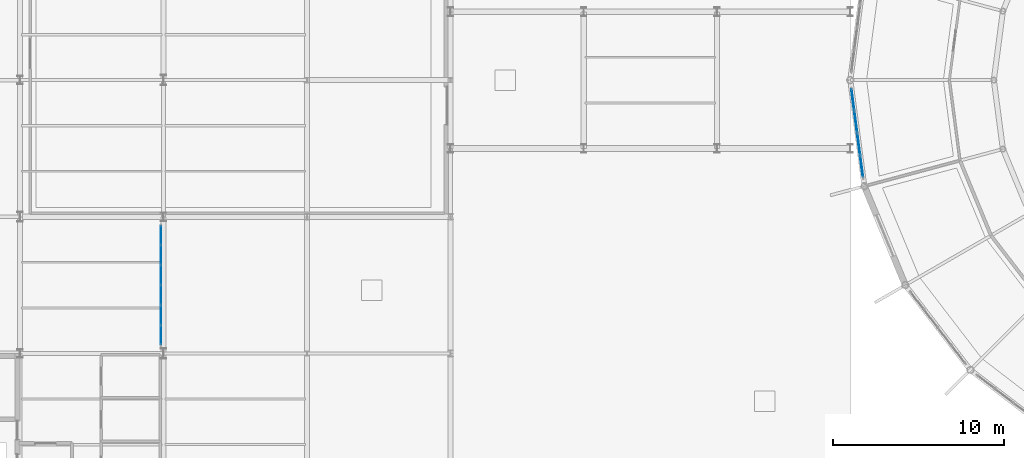
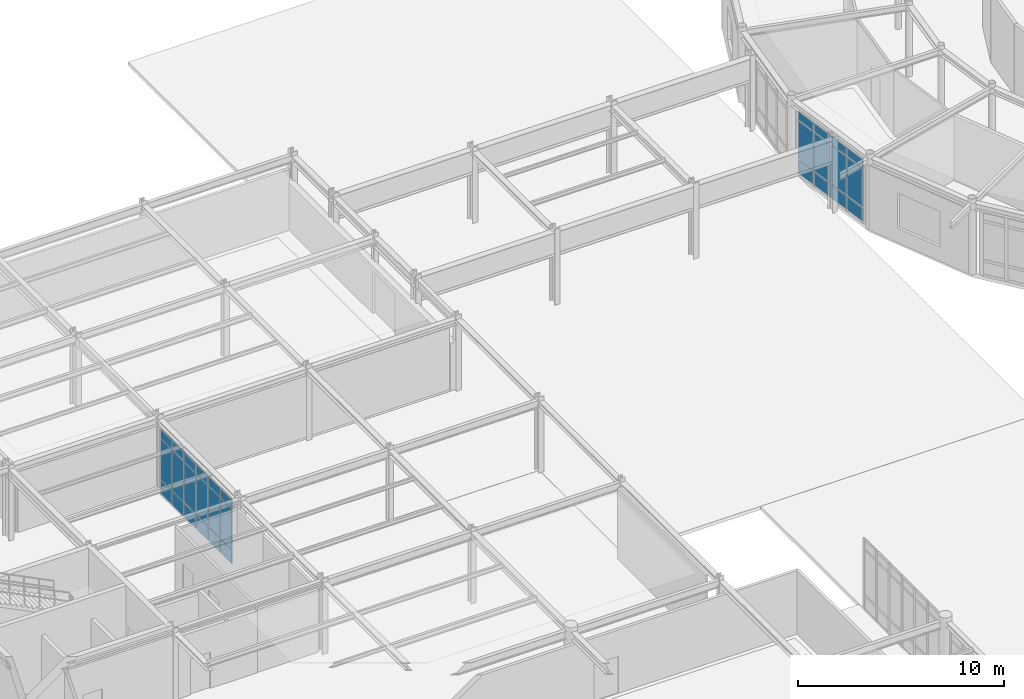
# One storey, part 61 of 101: 30 plates, 2 elements without a shape of their own.
"""IFC4 building model written with IfcOpenShell, lengths in metres."""

from ifc_helpers import new_model, si_unit, derived_unit, direction, frame, origin, origin_2d, place, context, subcontext, project, spatial, rectangle, extrude, material, layer, layer_set, type_object, element, aggregate, save


model = new_model("IFC4")

# Units and contexts
model_context = context("Model", 3, precision=1e-05, world=origin(), true_north=direction((0.0, 1.0)))
body_context = subcontext(model_context, "Body", "Model", "MODEL_VIEW")
ifc_project = project(units=[si_unit("LENGTHUNIT", "METRE"), si_unit("AREAUNIT", "SQUARE_METRE"), si_unit("VOLUMEUNIT", "CUBIC_METRE"), si_unit("PLANEANGLEUNIT", "RADIAN"), si_unit("MASSUNIT", "GRAM", prefix="KILO"), derived_unit("THERMALTRANSMITTANCEUNIT", [(si_unit("POWERUNIT", "WATT"), 1), (si_unit("AREAUNIT", "SQUARE_METRE"), -1), (si_unit("THERMODYNAMICTEMPERATUREUNIT", "KELVIN"), -1)])], contexts=[model_context])

# Site, building, storey
site_placement = place(None, origin())
site = spatial("IfcSite", under=ifc_project, at=site_placement, CompositionType="ELEMENT")
building_placement = place(site_placement, origin())
building = spatial("IfcBuilding", under=site, at=building_placement, Name="Yasenodar Specialist Clinic", CompositionType="ELEMENT")
storey_placement = place(building_placement, origin())
storey = spatial("IfcBuildingStorey", under=building, at=storey_placement, Name="L00", CompositionType="ELEMENT", Elevation=0.0)

# Curtain wall, plates
ifc_material_1 = material(Name="Bronze Anodized Aluminium and Triple Low-E Glass", Category="aluminium")
ifc_layer_1 = layer(ifc_material_1, 0.202880859375)
ifc_layer_set_1 = layer_set([ifc_layer_1], Name="Bronze Anodized Aluminium and Triple Low-E Glass")
curtain_wall_type_1 = type_object("IfcCurtainWallType", Name="CW-SYS-04", PredefinedType="USERDEFINED", material=ifc_layer_set_1)
curtain_wall_1_placement = place(storey_placement, origin())
curtain_wall_1 = element("IfcCurtainWall", 1, at=curtain_wall_1_placement, inside=storey, type_object=curtain_wall_type_1, Name="L00 Unitised Curtain Wall 118", ObjectType="UNITISED CURTAIN WALL", PredefinedType="USERDEFINED")
ifc_material_2 = material(Name="Triple Low-E Argon Glazing", Category="glass")
ifc_layer_2 = layer(ifc_material_2, 0.0400390625)
ifc_layer_set_2 = layer_set([ifc_layer_2], Name="Triple Low-E Argon Glazing")
plate_type_1 = type_object("IfcPlateType", Name="CW-PAN-3", PredefinedType="CURTAIN_PANEL", material=ifc_layer_set_2)
plate_1_placement = place(storey_placement, frame((16.64990234375, 49.71826171875, 0.06005859375), z_axis=(0.0, 0.0, 1.0), x_axis=(0.0, -1.0, 0.0)))
plate_1 = element("IfcPlate", 2, at=plate_1_placement, type_object=plate_type_1, Name="CW-04 panel 1.1", PredefinedType="CURTAIN_PANEL", context=body_context, shape_type="SweptSolid", body=[
    extrude(rectangle(XDim=1.083251953125, YDim=0.0400390625, at=origin_2d()), origin(), (0.0, 0.0, 1.0), 0.81005859375),
])
plate_2_placement = place(storey_placement, frame((16.64990234375, 49.71826171875, 0.929931640625), z_axis=(0.0, 0.0, 1.0), x_axis=(0.0, -1.0, 0.0)))
plate_2 = element("IfcPlate", 3, at=plate_2_placement, type_object=plate_type_1, Name="CW-04 panel 1.2", PredefinedType="CURTAIN_PANEL", context=body_context, shape_type="SweptSolid", body=[
    extrude(rectangle(XDim=1.083251953125, YDim=0.0400390625, at=origin_2d()), origin(), (0.0, 0.0, 1.0), 2.3779296875),
])
plate_3_placement = place(storey_placement, frame((16.64990234375, 49.71826171875, 3.3681640625), z_axis=(0.0, 0.0, 1.0), x_axis=(0.0, -1.0, 0.0)))
plate_3 = element("IfcPlate", 4, at=plate_3_placement, type_object=plate_type_1, Name="CW-04 panel 1.3", PredefinedType="CURTAIN_PANEL", context=body_context, shape_type="SweptSolid", body=[
    extrude(rectangle(XDim=1.083251953125, YDim=0.0400390625, at=origin_2d()), origin(), (0.0, 0.0, 1.0), 0.510009765625),
])
plate_4_placement = place(storey_placement, frame((16.64990234375, 48.56005859375, 0.06005859375), z_axis=(0.0, 0.0, 1.0), x_axis=(0.0, -1.0, 0.0)))
plate_4 = element("IfcPlate", 5, at=plate_4_placement, type_object=plate_type_1, Name="CW-04 panel 2.1", PredefinedType="CURTAIN_PANEL", context=body_context, shape_type="SweptSolid", body=[
    extrude(rectangle(XDim=1.11328125, YDim=0.0400390625, at=origin_2d()), origin(), (0.0, 0.0, 1.0), 0.81005859375),
])
plate_5_placement = place(storey_placement, frame((16.64990234375, 48.56005859375, 0.929931640625), z_axis=(0.0, 0.0, 1.0), x_axis=(0.0, -1.0, 0.0)))
plate_5 = element("IfcPlate", 6, at=plate_5_placement, type_object=plate_type_1, Name="CW-04 panel 2.2", PredefinedType="CURTAIN_PANEL", context=body_context, shape_type="SweptSolid", body=[
    extrude(rectangle(XDim=1.11328125, YDim=0.0400390625, at=origin_2d()), origin(), (0.0, 0.0, 1.0), 2.3779296875),
])
plate_6_placement = place(storey_placement, frame((16.64990234375, 48.56005859375, 3.3681640625), z_axis=(0.0, 0.0, 1.0), x_axis=(0.0, -1.0, 0.0)))
plate_6 = element("IfcPlate", 7, at=plate_6_placement, type_object=plate_type_1, Name="CW-04 panel 2.3", PredefinedType="CURTAIN_PANEL", context=body_context, shape_type="SweptSolid", body=[
    extrude(rectangle(XDim=1.11328125, YDim=0.0400390625, at=origin_2d()), origin(), (0.0, 0.0, 1.0), 0.510009765625),
])
plate_7_placement = place(storey_placement, frame((16.64990234375, 47.38671875, 0.06005859375), z_axis=(0.0, 0.0, 1.0), x_axis=(0.0, -1.0, 0.0)))
plate_7 = element("IfcPlate", 8, at=plate_7_placement, type_object=plate_type_1, Name="CW-04 panel 3.1", PredefinedType="CURTAIN_PANEL", context=body_context, shape_type="SweptSolid", body=[
    extrude(rectangle(XDim=1.11328125, YDim=0.0400390625, at=origin_2d()), origin(), (0.0, 0.0, 1.0), 0.81005859375),
])
plate_8_placement = place(storey_placement, frame((16.64990234375, 47.38671875, 0.929931640625), z_axis=(0.0, 0.0, 1.0), x_axis=(0.0, -1.0, 0.0)))
plate_8 = element("IfcPlate", 9, at=plate_8_placement, type_object=plate_type_1, Name="CW-04 panel 3.2", PredefinedType="CURTAIN_PANEL", context=body_context, shape_type="SweptSolid", body=[
    extrude(rectangle(XDim=1.11328125, YDim=0.0400390625, at=origin_2d()), origin(), (0.0, 0.0, 1.0), 2.3779296875),
])
plate_9_placement = place(storey_placement, frame((16.64990234375, 47.38671875, 3.3681640625), z_axis=(0.0, 0.0, 1.0), x_axis=(0.0, -1.0, 0.0)))
plate_9 = element("IfcPlate", 10, at=plate_9_placement, type_object=plate_type_1, Name="CW-04 panel 3.3", PredefinedType="CURTAIN_PANEL", context=body_context, shape_type="SweptSolid", body=[
    extrude(rectangle(XDim=1.11328125, YDim=0.0400390625, at=origin_2d()), origin(), (0.0, 0.0, 1.0), 0.510009765625),
])
plate_10_placement = place(storey_placement, frame((16.64990234375, 46.21337890625, 0.06005859375), z_axis=(0.0, 0.0, 1.0), x_axis=(0.0, -1.0, 0.0)))
plate_10 = element("IfcPlate", 11, at=plate_10_placement, type_object=plate_type_1, Name="CW-04 panel 4.1", PredefinedType="CURTAIN_PANEL", context=body_context, shape_type="SweptSolid", body=[
    extrude(rectangle(XDim=1.11328125, YDim=0.0400390625, at=origin_2d()), origin(), (0.0, 0.0, 1.0), 0.81005859375),
])
plate_11_placement = place(storey_placement, frame((16.64990234375, 46.21337890625, 0.929931640625), z_axis=(0.0, 0.0, 1.0), x_axis=(0.0, -1.0, 0.0)))
plate_11 = element("IfcPlate", 12, at=plate_11_placement, type_object=plate_type_1, Name="CW-04 panel 4.2", PredefinedType="CURTAIN_PANEL", context=body_context, shape_type="SweptSolid", body=[
    extrude(rectangle(XDim=1.11328125, YDim=0.0400390625, at=origin_2d()), origin(), (0.0, 0.0, 1.0), 2.3779296875),
])
plate_12_placement = place(storey_placement, frame((16.64990234375, 46.21337890625, 3.3681640625), z_axis=(0.0, 0.0, 1.0), x_axis=(0.0, -1.0, 0.0)))
plate_12 = element("IfcPlate", 13, at=plate_12_placement, type_object=plate_type_1, Name="CW-04 panel 4.3", PredefinedType="CURTAIN_PANEL", context=body_context, shape_type="SweptSolid", body=[
    extrude(rectangle(XDim=1.11328125, YDim=0.0400390625, at=origin_2d()), origin(), (0.0, 0.0, 1.0), 0.510009765625),
])
plate_13_placement = place(storey_placement, frame((16.64990234375, 45.0400390625, 0.06005859375), z_axis=(0.0, 0.0, 1.0), x_axis=(0.0, -1.0, 0.0)))
plate_13 = element("IfcPlate", 14, at=plate_13_placement, type_object=plate_type_1, Name="CW-04 panel 5.1", PredefinedType="CURTAIN_PANEL", context=body_context, shape_type="SweptSolid", body=[
    extrude(rectangle(XDim=1.11328125, YDim=0.0400390625, at=origin_2d()), origin(), (0.0, 0.0, 1.0), 0.81005859375),
])
plate_14_placement = place(storey_placement, frame((16.64990234375, 45.0400390625, 0.929931640625), z_axis=(0.0, 0.0, 1.0), x_axis=(0.0, -1.0, 0.0)))
plate_14 = element("IfcPlate", 15, at=plate_14_placement, type_object=plate_type_1, Name="CW-04 panel 5.2", PredefinedType="CURTAIN_PANEL", context=body_context, shape_type="SweptSolid", body=[
    extrude(rectangle(XDim=1.11328125, YDim=0.0400390625, at=origin_2d()), origin(), (0.0, 0.0, 1.0), 2.3779296875),
])
plate_15_placement = place(storey_placement, frame((16.64990234375, 45.0400390625, 3.3681640625), z_axis=(0.0, 0.0, 1.0), x_axis=(0.0, -1.0, 0.0)))
plate_15 = element("IfcPlate", 16, at=plate_15_placement, type_object=plate_type_1, Name="CW-04 panel 5.3", PredefinedType="CURTAIN_PANEL", context=body_context, shape_type="SweptSolid", body=[
    extrude(rectangle(XDim=1.11328125, YDim=0.0400390625, at=origin_2d()), origin(), (0.0, 0.0, 1.0), 0.510009765625),
])
plate_16_placement = place(storey_placement, frame((16.64990234375, 43.881591796875, 0.06005859375), z_axis=(0.0, 0.0, 1.0), x_axis=(0.0, -1.0, 0.0)))
plate_16 = element("IfcPlate", 17, at=plate_16_placement, type_object=plate_type_1, Name="CW-04 panel 6.1", PredefinedType="CURTAIN_PANEL", context=body_context, shape_type="SweptSolid", body=[
    extrude(rectangle(XDim=1.083251953125, YDim=0.0400390625, at=origin_2d()), origin(), (0.0, 0.0, 1.0), 0.81005859375),
])
plate_17_placement = place(storey_placement, frame((16.64990234375, 43.881591796875, 0.929931640625), z_axis=(0.0, 0.0, 1.0), x_axis=(0.0, -1.0, 0.0)))
plate_17 = element("IfcPlate", 18, at=plate_17_placement, type_object=plate_type_1, Name="CW-04 panel 6.2", PredefinedType="CURTAIN_PANEL", context=body_context, shape_type="SweptSolid", body=[
    extrude(rectangle(XDim=1.083251953125, YDim=0.0400390625, at=origin_2d()), origin(), (0.0, 0.0, 1.0), 2.3779296875),
])
plate_18_placement = place(storey_placement, frame((16.64990234375, 43.881591796875, 3.3681640625), z_axis=(0.0, 0.0, 1.0), x_axis=(0.0, -1.0, 0.0)))
plate_18 = element("IfcPlate", 19, at=plate_18_placement, type_object=plate_type_1, Name="CW-04 panel 6.3", PredefinedType="CURTAIN_PANEL", context=body_context, shape_type="SweptSolid", body=[
    extrude(rectangle(XDim=1.083251953125, YDim=0.0400390625, at=origin_2d()), origin(), (0.0, 0.0, 1.0), 0.510009765625),
])
aggregate(curtain_wall_1, [plate_1, plate_2, plate_3, plate_4, plate_5, plate_6, plate_7, plate_8, plate_9, plate_10, plate_11, plate_12, plate_13, plate_14, plate_15, plate_16, plate_17, plate_18])

ifc_layer_3 = layer(ifc_material_1, 0.1669921875)
ifc_layer_set_3 = layer_set([ifc_layer_3], Name="Bronze Anodized Aluminium and Triple Low-E Glass")
curtain_wall_type_2 = type_object("IfcCurtainWallType", Name="CW-SYS-01", PredefinedType="USERDEFINED", material=ifc_layer_set_3)
curtain_wall_2_placement = place(storey_placement, origin())
curtain_wall_2 = element("IfcCurtainWall", 20, at=curtain_wall_2_placement, inside=storey, type_object=curtain_wall_type_2, Name="L00 Unitised Curtain Wall 007", ObjectType="UNITISED CURTAIN WALL", PredefinedType="USERDEFINED")
ifc_layer_4 = layer(ifc_material_2, 0.0458984375)
ifc_layer_set_4 = layer_set([ifc_layer_4], Name="Triple Low-E Argon Glazing")
plate_type_2 = type_object("IfcPlateType", Name="CW-PAN-4", PredefinedType="CURTAIN_PANEL", material=ifc_layer_set_4)
plate_19_placement = place(storey_placement, frame((57.666259765625, 53.739013671875, 0.070068359375), z_axis=(0.0, 0.0, 1.0), x_axis=(-0.13051156024, 0.991446787601, 0.0)))
plate_19 = element("IfcPlate", 21, at=plate_19_placement, type_object=plate_type_2, Name="CW-01 panel 1.1", PredefinedType="CURTAIN_PANEL", context=body_context, shape_type="SweptSolid", body=[
    extrude(rectangle(XDim=1.221435546875, YDim=0.0458984375, at=origin_2d()), origin(), (0.0, 0.0, 1.0), 0.794921875),
])
plate_20_placement = place(storey_placement, frame((57.666259765625, 53.739013671875, 0.93505859375), z_axis=(0.0, 0.0, 1.0), x_axis=(-0.13051156024, 0.991446787601, 0.0)))
plate_20 = element("IfcPlate", 22, at=plate_20_placement, type_object=plate_type_2, Name="CW-01 panel 1.2", PredefinedType="CURTAIN_PANEL", context=body_context, shape_type="SweptSolid", body=[
    extrude(rectangle(XDim=1.221435546875, YDim=0.0458984375, at=origin_2d()), origin(), (0.0, 0.0, 1.0), 2.26806640625),
])
plate_21_placement = place(storey_placement, frame((57.666259765625, 53.739013671875, 3.27294921875), z_axis=(0.0, 0.0, 1.0), x_axis=(-0.13051156024, 0.991446787601, 0.0)))
plate_21 = element("IfcPlate", 23, at=plate_21_placement, type_object=plate_type_2, Name="CW-01 panel 1.3", PredefinedType="CURTAIN_PANEL", context=body_context, shape_type="SweptSolid", body=[
    extrude(rectangle(XDim=1.221435546875, YDim=0.0458984375, at=origin_2d()), origin(), (0.0, 0.0, 1.0), 0.4951171875),
])
plate_22_placement = place(storey_placement, frame((57.495361328125, 55.03662109375, 0.070068359375), z_axis=(0.0, 0.0, 1.0), x_axis=(-0.13051156024, 0.991446787601, 0.0)))
plate_22 = element("IfcPlate", 24, at=plate_22_placement, type_object=plate_type_2, Name="CW-01 panel 2.1", PredefinedType="CURTAIN_PANEL", context=body_context, shape_type="SweptSolid", body=[
    extrude(rectangle(XDim=1.25634765625, YDim=0.0458984375, at=origin_2d()), origin(), (0.0, 0.0, 1.0), 0.794921875),
])
plate_23_placement = place(storey_placement, frame((57.495361328125, 55.03662109375, 0.93505859375), z_axis=(0.0, 0.0, 1.0), x_axis=(-0.13051156024, 0.991446787601, 0.0)))
plate_23 = element("IfcPlate", 25, at=plate_23_placement, type_object=plate_type_2, Name="CW-01 panel 2.2", PredefinedType="CURTAIN_PANEL", context=body_context, shape_type="SweptSolid", body=[
    extrude(rectangle(XDim=1.25634765625, YDim=0.0458984375, at=origin_2d()), origin(), (0.0, 0.0, 1.0), 2.26806640625),
])
plate_24_placement = place(storey_placement, frame((57.495361328125, 55.03662109375, 3.27294921875), z_axis=(0.0, 0.0, 1.0), x_axis=(-0.13051156024, 0.991446787601, 0.0)))
plate_24 = element("IfcPlate", 26, at=plate_24_placement, type_object=plate_type_2, Name="CW-01 panel 2.3", PredefinedType="CURTAIN_PANEL", context=body_context, shape_type="SweptSolid", body=[
    extrude(rectangle(XDim=1.25634765625, YDim=0.0458984375, at=origin_2d()), origin(), (0.0, 0.0, 1.0), 0.4951171875),
])
plate_25_placement = place(storey_placement, frame((57.322265625, 56.3515625, 0.070068359375), z_axis=(0.0, 0.0, 1.0), x_axis=(-0.13051156024, 0.991446787601, 0.0)))
plate_25 = element("IfcPlate", 27, at=plate_25_placement, type_object=plate_type_2, Name="CW-01 panel 3.1", PredefinedType="CURTAIN_PANEL", context=body_context, shape_type="SweptSolid", body=[
    extrude(rectangle(XDim=1.25634765625, YDim=0.0458984375, at=origin_2d()), origin(), (0.0, 0.0, 1.0), 0.794921875),
])
plate_26_placement = place(storey_placement, frame((57.322265625, 56.3515625, 0.93505859375), z_axis=(0.0, 0.0, 1.0), x_axis=(-0.13051156024, 0.991446787601, 0.0)))
plate_26 = element("IfcPlate", 28, at=plate_26_placement, type_object=plate_type_2, Name="CW-01 panel 3.2", PredefinedType="CURTAIN_PANEL", context=body_context, shape_type="SweptSolid", body=[
    extrude(rectangle(XDim=1.25634765625, YDim=0.0458984375, at=origin_2d()), origin(), (0.0, 0.0, 1.0), 2.26806640625),
])
plate_27_placement = place(storey_placement, frame((57.322265625, 56.3515625, 3.27294921875), z_axis=(0.0, 0.0, 1.0), x_axis=(-0.13051156024, 0.991446787601, 0.0)))
plate_27 = element("IfcPlate", 29, at=plate_27_placement, type_object=plate_type_2, Name="CW-01 panel 3.3", PredefinedType="CURTAIN_PANEL", context=body_context, shape_type="SweptSolid", body=[
    extrude(rectangle(XDim=1.25634765625, YDim=0.0458984375, at=origin_2d()), origin(), (0.0, 0.0, 1.0), 0.4951171875),
])
plate_28_placement = place(storey_placement, frame((57.151611328125, 57.649169921875, 0.070068359375), z_axis=(0.0, 0.0, 1.0), x_axis=(-0.13051156024, 0.991446787601, 0.0)))
plate_28 = element("IfcPlate", 30, at=plate_28_placement, type_object=plate_type_2, Name="CW-01 panel 4.1", PredefinedType="CURTAIN_PANEL", context=body_context, shape_type="SweptSolid", body=[
    extrude(rectangle(XDim=1.221435546875, YDim=0.0458984375, at=origin_2d()), origin(), (0.0, 0.0, 1.0), 0.794921875),
])
plate_29_placement = place(storey_placement, frame((57.151611328125, 57.649169921875, 0.93505859375), z_axis=(0.0, 0.0, 1.0), x_axis=(-0.13051156024, 0.991446787601, 0.0)))
plate_29 = element("IfcPlate", 31, at=plate_29_placement, type_object=plate_type_2, Name="CW-01 panel 4.2", PredefinedType="CURTAIN_PANEL", context=body_context, shape_type="SweptSolid", body=[
    extrude(rectangle(XDim=1.221435546875, YDim=0.0458984375, at=origin_2d()), origin(), (0.0, 0.0, 1.0), 2.26806640625),
])
plate_30_placement = place(storey_placement, frame((57.151611328125, 57.649169921875, 3.27294921875), z_axis=(0.0, 0.0, 1.0), x_axis=(-0.13051156024, 0.991446787601, 0.0)))
plate_30 = element("IfcPlate", 32, at=plate_30_placement, type_object=plate_type_2, Name="CW-01 panel 4.3", PredefinedType="CURTAIN_PANEL", context=body_context, shape_type="SweptSolid", body=[
    extrude(rectangle(XDim=1.221435546875, YDim=0.0458984375, at=origin_2d()), origin(), (0.0, 0.0, 1.0), 0.4951171875),
])
aggregate(curtain_wall_2, [plate_19, plate_20, plate_21, plate_22, plate_23, plate_24, plate_25, plate_26, plate_27, plate_28, plate_29, plate_30])

save(model, "model.ifc")
